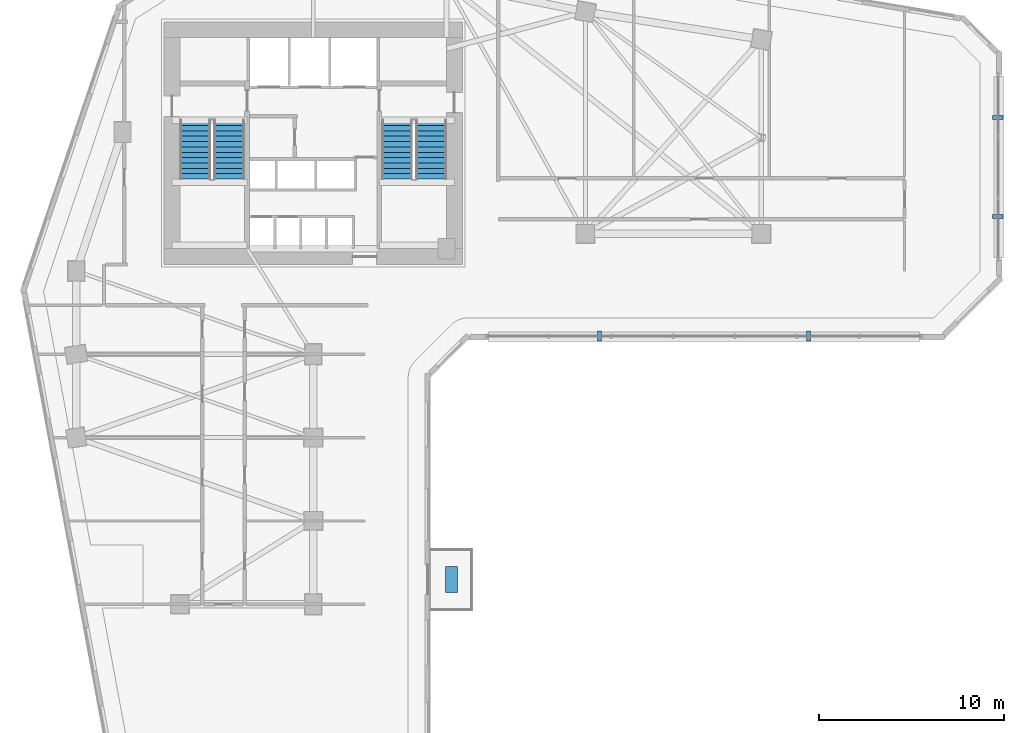
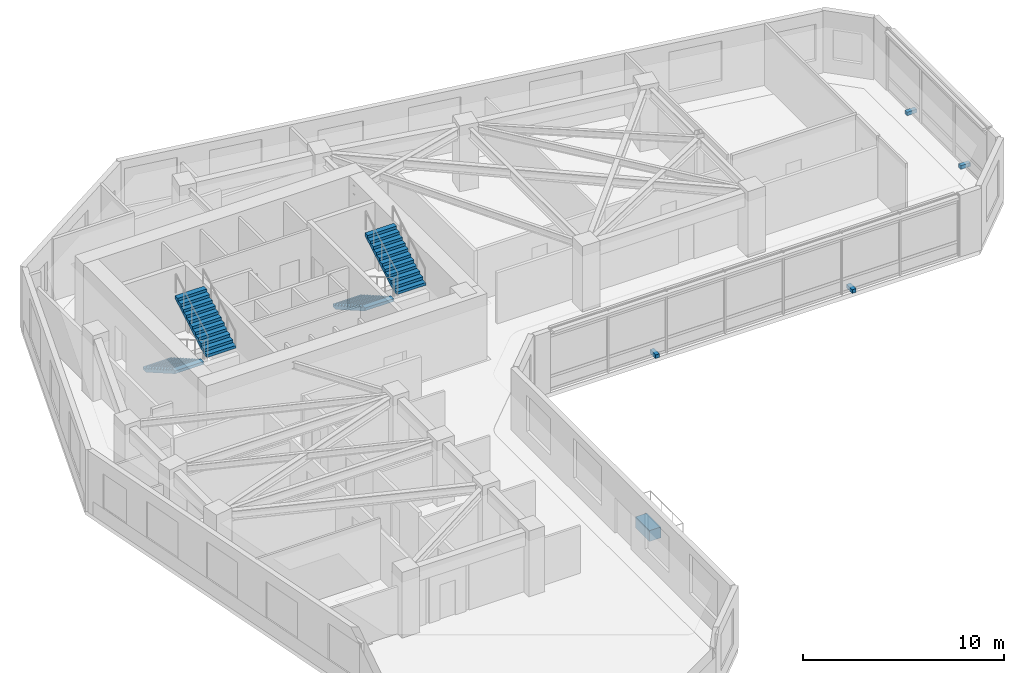
# One storey, part 9 of 12: 5 discrete accessories, 4 stair flights, 2 elements without a shape of their own.
"""IFC4 building model written with IfcOpenShell, lengths in metres."""

from ifc_helpers import new_model, si_unit, direction, frame, origin, origin_2d, place, context, subcontext, project, spatial, polyline, rectangle, outline, extrude, source, transform, mapped, material, type_object, element, aggregate, save


model = new_model("IFC4")

# Units and contexts
model_context = context("Model", 3, precision=1e-05, world=origin(), true_north=direction((0.0, 1.0)))
body_context = subcontext(model_context, "Body", "Model", "MODEL_VIEW")
ifc_project = project(units=[si_unit("LENGTHUNIT", "METRE"), si_unit("AREAUNIT", "SQUARE_METRE"), si_unit("VOLUMEUNIT", "CUBIC_METRE"), si_unit("PLANEANGLEUNIT", "RADIAN"), si_unit("MASSUNIT", "GRAM", prefix="KILO")], contexts=[model_context])

# Site, building, storey
site_placement = place(None, origin())
site = spatial("IfcSite", under=ifc_project, at=site_placement, CompositionType="ELEMENT")
building_placement = place(site_placement, origin())
building = spatial("IfcBuilding", under=site, at=building_placement, Name="Calvemar Wedge Station Tower", CompositionType="ELEMENT")
storey_placement = place(building_placement, frame((0.0, 0.0, 51.0)))
storey = spatial("IfcBuildingStorey", under=building, at=storey_placement, Name="L12", CompositionType="ELEMENT", Elevation=51.0)

# Stair, stair flights
ifc_material_1 = material(Name="Concrete C45", Category="concrete")
stair_type = type_object("IfcStairType", Name="ST-TYPE-4000", PredefinedType="HALF_TURN_STAIR", material=ifc_material_1)
stair_1_placement = place(storey_placement, origin())
stair_1 = element("IfcStair", 1, at=stair_1_placement, inside=storey, type_object=stair_type, Name="L12 Pressurized Core Exit Stair ST-C1", PredefinedType="HALF_TURN_STAIR")
stair_flight_type = type_object("IfcStairFlightType", Name="STF-TYPE-4000", PredefinedType="STRAIGHT", material=ifc_material_1)
stair_flight_1_placement = place(storey_placement, frame((17.429931640625, 41.14990234375, 0.0), z_axis=(0.0, 0.0, 1.0), x_axis=(0.0, -1.0, 0.0)))
stair_flight_1 = element("IfcStairFlight", 2, at=stair_flight_1_placement, type_object=stair_flight_type, Name="ST-C1 flight 1", NumberOfRisers=12, NumberOfTreads=11, PredefinedType="STRAIGHT", RiserHeight=0.166666667, TreadLength=0.29, context=body_context, shape_type="SweptSolid", body=[
    extrude(outline(polyline([(0.0, 0.0), (0.0, 0.166748046875), (0.2900390625, 0.166748046875), (0.2900390625, 0.333251953125), (0.580078125, 0.333251953125), (0.580078125, 0.5), (0.8701171875, 0.5), (0.8701171875, 0.666748046875), (1.159912109375, 0.666748046875), (1.159912109375, 0.833251953125), (1.449951171875, 0.833251953125), (1.449951171875, 1.0), (1.739990234375, 1.0), (1.739990234375, 1.166748046875), (2.030029296875, 1.166748046875), (2.030029296875, 1.333251953125), (2.320068359375, 1.333251953125), (2.320068359375, 1.5), (2.610107421875, 1.5), (2.610107421875, 1.666748046875), (2.89990234375, 1.666748046875), (2.89990234375, 1.833251953125), (3.18994140625, 1.833251953125), (3.18994140625, 2.0), (3.18994140625, 1.660400390625), (0.30078125, 0.0), (0.0, 0.0)])), frame((0.0, 0.830078125, 0.0), z_axis=(0.0, -1.0, 0.0), x_axis=(1.0, 0.0, 0.0)), (0.0, 0.0, 1.0), 1.659912109375),
])
stair_flight_2_placement = place(storey_placement, frame((19.27001953125, 37.9599609375, 2.0), z_axis=(0.0, 0.0, 1.0), x_axis=(0.0, 1.0, 0.0)))
stair_flight_2 = element("IfcStairFlight", 3, at=stair_flight_2_placement, type_object=stair_flight_type, Name="ST-C1 flight 2", NumberOfRisers=12, NumberOfTreads=11, PredefinedType="STRAIGHT", RiserHeight=0.166666667, TreadLength=0.29, context=body_context, shape_type="SweptSolid", body=[
    extrude(outline(polyline([(0.0, 0.0), (0.0, 0.166748046875), (0.2900390625, 0.166748046875), (0.2900390625, 0.333251953125), (0.580078125, 0.333251953125), (0.580078125, 0.5), (0.8701171875, 0.5), (0.8701171875, 0.666748046875), (1.159912109375, 0.666748046875), (1.159912109375, 0.833251953125), (1.449951171875, 0.833251953125), (1.449951171875, 1.0), (1.739990234375, 1.0), (1.739990234375, 1.166748046875), (2.030029296875, 1.166748046875), (2.030029296875, 1.333251953125), (2.320068359375, 1.333251953125), (2.320068359375, 1.5), (2.610107421875, 1.5), (2.610107421875, 1.666748046875), (2.89990234375, 1.666748046875), (2.89990234375, 1.833251953125), (3.18994140625, 1.833251953125), (3.18994140625, 2.0), (3.18994140625, 1.660400390625), (0.30078125, 0.0), (0.0, 0.0)])), frame((0.0, 0.830078125, 0.0), z_axis=(0.0, -1.0, 0.0), x_axis=(1.0, 0.0, 0.0)), (0.0, 0.0, 1.0), 1.659912109375),
])
aggregate(stair_1, [stair_flight_1, stair_flight_2])

stair_2_placement = place(storey_placement, origin())
stair_2 = element("IfcStair", 4, at=stair_2_placement, inside=storey, type_object=stair_type, Name="L12 Pressurized Core Exit Stair ST-C2", PredefinedType="HALF_TURN_STAIR")
stair_flight_3_placement = place(storey_placement, frame((28.330078125, 41.14990234375, 0.0), z_axis=(0.0, 0.0, 1.0), x_axis=(0.0, -1.0, 0.0)))
stair_flight_3 = element("IfcStairFlight", 5, at=stair_flight_3_placement, type_object=stair_flight_type, Name="ST-C2 flight 1", NumberOfRisers=12, NumberOfTreads=11, PredefinedType="STRAIGHT", RiserHeight=0.166666667, TreadLength=0.29, context=body_context, shape_type="SweptSolid", body=[
    extrude(outline(polyline([(0.0, 0.0), (0.0, 0.166748046875), (0.2900390625, 0.166748046875), (0.2900390625, 0.333251953125), (0.580078125, 0.333251953125), (0.580078125, 0.5), (0.8701171875, 0.5), (0.8701171875, 0.666748046875), (1.159912109375, 0.666748046875), (1.159912109375, 0.833251953125), (1.449951171875, 0.833251953125), (1.449951171875, 1.0), (1.739990234375, 1.0), (1.739990234375, 1.166748046875), (2.030029296875, 1.166748046875), (2.030029296875, 1.333251953125), (2.320068359375, 1.333251953125), (2.320068359375, 1.5), (2.610107421875, 1.5), (2.610107421875, 1.666748046875), (2.89990234375, 1.666748046875), (2.89990234375, 1.833251953125), (3.18994140625, 1.833251953125), (3.18994140625, 2.0), (3.18994140625, 1.660400390625), (0.30078125, 0.0), (0.0, 0.0)])), frame((0.0, 0.830078125, 0.0), z_axis=(0.0, -1.0, 0.0), x_axis=(1.0, 0.0, 0.0)), (0.0, 0.0, 1.0), 1.659912109375),
])
stair_flight_4_placement = place(storey_placement, frame((30.169921875, 37.9599609375, 2.0), z_axis=(0.0, 0.0, 1.0), x_axis=(0.0, 1.0, 0.0)))
stair_flight_4 = element("IfcStairFlight", 6, at=stair_flight_4_placement, type_object=stair_flight_type, Name="ST-C2 flight 2", NumberOfRisers=12, NumberOfTreads=11, PredefinedType="STRAIGHT", RiserHeight=0.166666667, TreadLength=0.29, context=body_context, shape_type="SweptSolid", body=[
    extrude(outline(polyline([(0.0, 0.0), (0.0, 0.166748046875), (0.2900390625, 0.166748046875), (0.2900390625, 0.333251953125), (0.580078125, 0.333251953125), (0.580078125, 0.5), (0.8701171875, 0.5), (0.8701171875, 0.666748046875), (1.159912109375, 0.666748046875), (1.159912109375, 0.833251953125), (1.449951171875, 0.833251953125), (1.449951171875, 1.0), (1.739990234375, 1.0), (1.739990234375, 1.166748046875), (2.030029296875, 1.166748046875), (2.030029296875, 1.333251953125), (2.320068359375, 1.333251953125), (2.320068359375, 1.5), (2.610107421875, 1.5), (2.610107421875, 1.666748046875), (2.89990234375, 1.666748046875), (2.89990234375, 1.833251953125), (3.18994140625, 1.833251953125), (3.18994140625, 2.0), (3.18994140625, 1.660400390625), (0.30078125, 0.0), (0.0, 0.0)])), frame((0.0, 0.830078125, 0.0), z_axis=(0.0, -1.0, 0.0), x_axis=(1.0, 0.0, 0.0)), (0.0, 0.0, 1.0), 1.659912109375),
])
aggregate(stair_2, [stair_flight_3, stair_flight_4])

# Discrete accessories
ifc_material_2 = material(Name="Stainless steel AISI 316L", Category="steel")
discrete_accessory_type_1 = type_object("IfcDiscreteAccessoryType", Name="BRK-316L", PredefinedType="BRACKET", material=ifc_material_2)
shared_shape_1 = source(origin(), body_context, "Body", "SweptSolid", [
    extrude(rectangle(XDim=0.219970703125, YDim=0.56005859375, at=origin_2d()), origin(), (0.0, 0.0, 1.0), 0.219970703125),
])
for number, where, z_axis, x_axis, name in (
    (7, (39.25390625, 29.489990234375, 0.0), (0.0, 0.0, 1.0), (1.0, 0.0, 0.0), "Storey L12 Recessed Facade Stainless Bracket 6.1"),
    (8, (50.5498046875, 29.489990234375, 0.0), (0.0, 0.0, 1.0), (1.0, 0.0, 0.0), "Storey L12 Recessed Facade Stainless Bracket 6.2"),
    (9, (60.77001953125, 35.931396484375, 0.0), (0.0, 0.0, 1.0), (0.0, 1.0, 0.0), "Storey L12 Recessed Facade Stainless Bracket 8.1"),
    (10, (60.77001953125, 41.288818359375, 0.0), (0.0, 0.0, 1.0), (0.0, 1.0, 0.0), "Storey L12 Recessed Facade Stainless Bracket 8.2"),
):
    element("IfcDiscreteAccessory", number, at=place(storey_placement, frame(where, z_axis=z_axis, x_axis=x_axis)), inside=storey, type_object=discrete_accessory_type_1, Name=name, PredefinedType="BRACKET", context=body_context, shape_type="MappedRepresentation", body=[
        mapped(shared_shape_1, transform((0.0, 0.0, 0.0), scale=1.0)),
    ])
ifc_material_3 = material(Name="Precast concrete C45", Category="concrete")
discrete_accessory_type_2 = type_object("IfcDiscreteAccessoryType", Name="ACC-PLANTER", PredefinedType="USERDEFINED", material=ifc_material_3)
shared_shape_2 = source(origin(), body_context, "Body", "SweptSolid", [
    extrude(rectangle(XDim=0.64990234375, YDim=1.39990234375, at=origin_2d()), origin(), (0.0, 0.0, 1.0), 0.64990234375),
])
discrete_accessory_placement = place(storey_placement, frame((31.278076171875, 16.330078125, 0.0), z_axis=(0.0, 0.0, 1.0), x_axis=(1.0, 0.0, 0.0)))
element("IfcDiscreteAccessory", 11, at=discrete_accessory_placement, inside=storey, type_object=discrete_accessory_type_2, Name="Storey L12 Planted Terrace GFRC Planter", ObjectType="PLANTER", PredefinedType="USERDEFINED", context=body_context, shape_type="MappedRepresentation", body=[
    mapped(shared_shape_2, transform((0.0, 0.0, 0.0), scale=1.0)),
])

save(model, "model.ifc")
